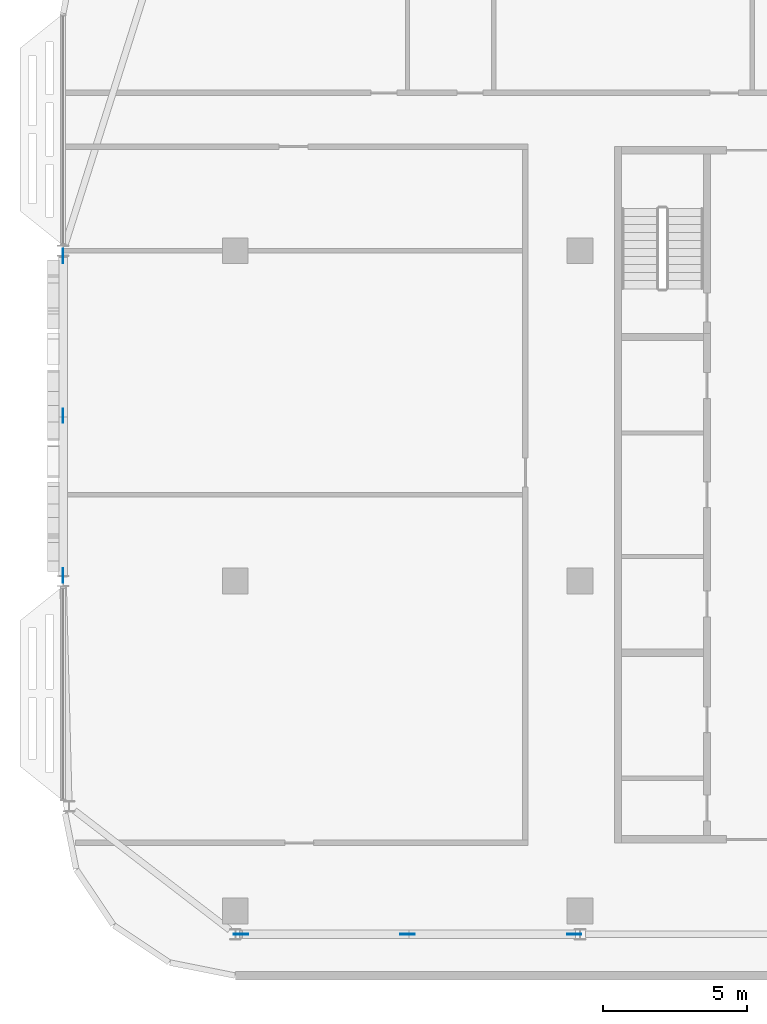
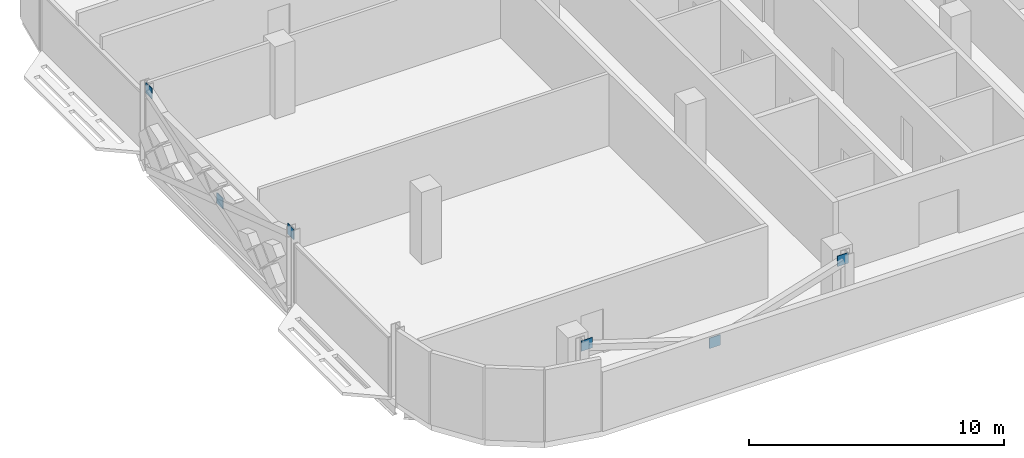
# One storey, part 20 of 28: 6 discrete accessories.
"""IFC4 building model written with IfcOpenShell, lengths in metres."""

from ifc_helpers import new_model, si_unit, direction, frame, origin, origin_2d, place, context, subcontext, project, spatial, rectangle, extrude, material, layer, layer_set, type_object, element, save


model = new_model("IFC4")

# Units and contexts
model_context = context("Model", 3, precision=1e-05, world=origin(), true_north=direction((0.0, 1.0)))
body_context = subcontext(model_context, "Body", "Model", "MODEL_VIEW")
ifc_project = project(units=[si_unit("LENGTHUNIT", "METRE"), si_unit("AREAUNIT", "SQUARE_METRE"), si_unit("VOLUMEUNIT", "CUBIC_METRE"), si_unit("PLANEANGLEUNIT", "RADIAN"), si_unit("MASSUNIT", "GRAM", prefix="KILO")], contexts=[model_context])

# Site, building, storey
site_placement = place(None, origin())
site = spatial("IfcSite", under=ifc_project, at=site_placement, CompositionType="ELEMENT")
building_placement = place(site_placement, origin())
building = spatial("IfcBuilding", under=site, at=building_placement, Name="Mahtab Terrace Research Tower", CompositionType="ELEMENT")
storey_placement = place(building_placement, frame((0.0, 0.0, 267.10009765625)))
storey = spatial("IfcBuildingStorey", under=building, at=storey_placement, Name="L65", CompositionType="ELEMENT", Elevation=267.10009765625)

# Discrete accessories
ifc_material = material(Name="Steel ASTM A992 Gr 50", Category="steel")
ifc_layer = layer(ifc_material, 0.030029296875)
ifc_layer_set = layer_set([ifc_layer], Name="Gusset plate 500x500x30")
discrete_accessory_type = type_object("IfcDiscreteAccessoryType", Name="Gusset plate 500x500x30", PredefinedType="USERDEFINED", material=ifc_layer_set)
for number, where, z_axis, x_axis, name in (
    (1, (-41.80322265625, -12.306884765625, 2.906494140625), (0.0, 0.0, 1.0), (1.0, 0.0, 0.0), "Gusset plate"),
    (2, (-36.0, -12.306884765625, 1.00634765625), (0.0, 0.0, 1.0), (1.0, 0.0, 0.0), "Gusset plate"),
    (3, (-30.197021484375, -12.306884765625, 2.906494140625), (0.0, 0.0, 1.0), (1.0, 0.0, 0.0), "Gusset plate"),
    (4, (-48.0, 0.18798828125, 2.906494140625), (0.0, 0.0, 1.0), (0.0, 1.0, 0.0), "Gusset plate"),
    (5, (-48.0, 5.75, 1.00634765625), (0.0, 0.0, 1.0), (0.0, 1.0, 0.0), "Gusset plate"),
    (6, (-48.0, 11.31201171875, 2.906494140625), (0.0, 0.0, 1.0), (0.0, 1.0, 0.0), "Gusset plate"),
):
    element("IfcDiscreteAccessory", number, at=place(storey_placement, frame(where, z_axis=z_axis, x_axis=x_axis)), inside=storey, type_object=discrete_accessory_type, Name=name, ObjectType="GUSSET PLATE", PredefinedType="USERDEFINED", context=body_context, shape_type="SweptSolid", body=[
        extrude(rectangle(XDim=0.5, YDim=0.030029296875, at=origin_2d()), origin(), (0.0, 0.0, 1.0), 0.5),
    ])

save(model, "model.ifc")
